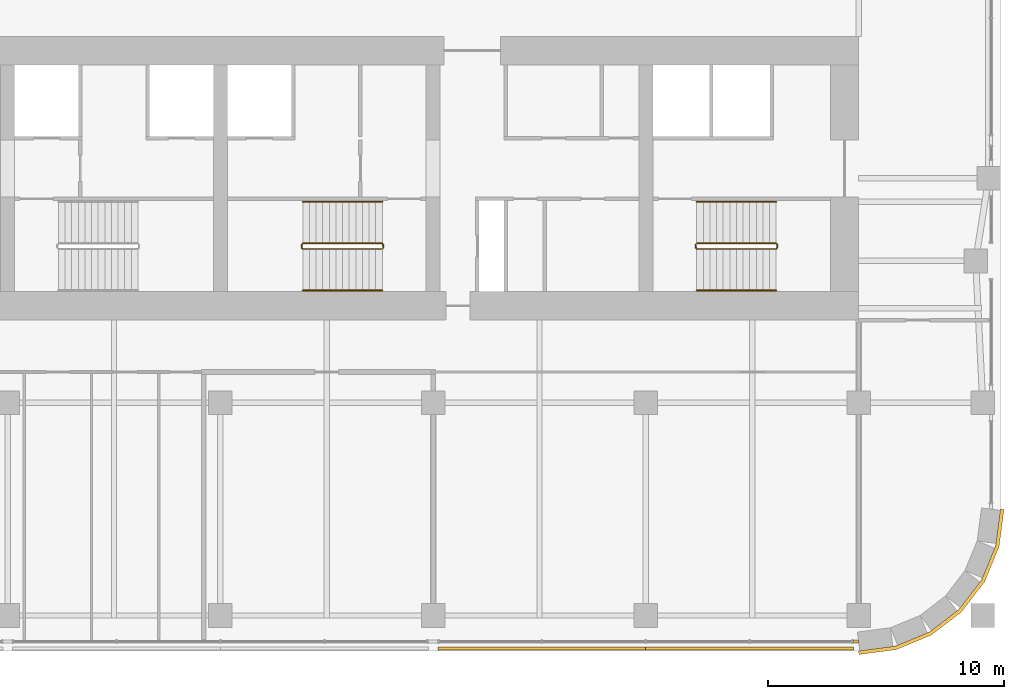
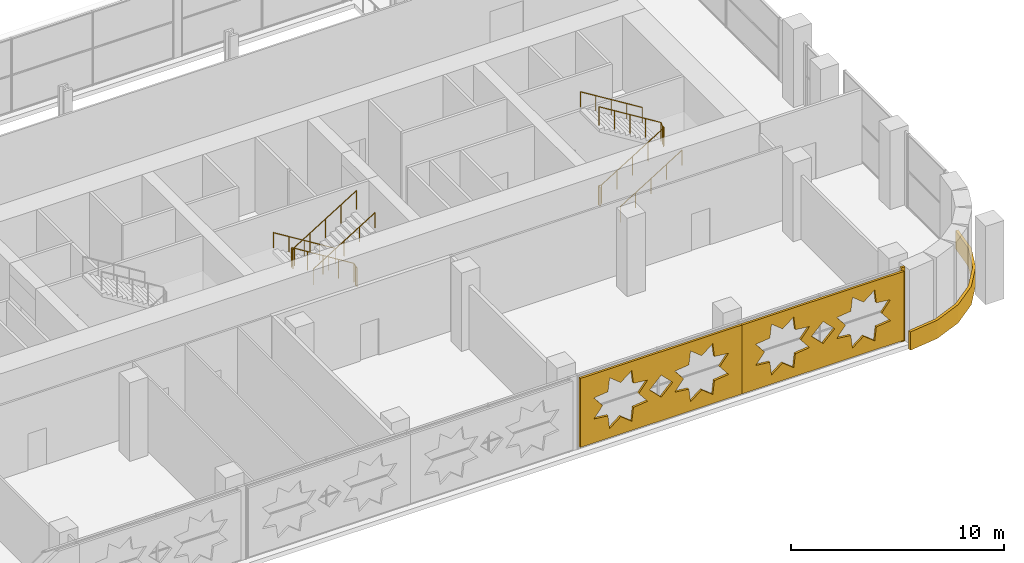
# One storey, part 18 of 21: 6 railings, 4 coverings.
"""IFC4 building model written with IfcOpenShell, lengths in metres."""

from ifc_helpers import new_model, si_unit, direction, frame, origin, origin_2d, place, context, subcontext, project, spatial, polyline, rectangle, circle, outline, extrude, material, layer, layer_set, type_object, element, save


model = new_model("IFC4")

# Units and contexts
model_context = context("Model", 3, precision=1e-05, world=origin(), true_north=direction((0.0, 1.0)))
body_context = subcontext(model_context, "Body", "Model", "MODEL_VIEW")
ifc_project = project(units=[si_unit("LENGTHUNIT", "METRE"), si_unit("AREAUNIT", "SQUARE_METRE"), si_unit("VOLUMEUNIT", "CUBIC_METRE"), si_unit("PLANEANGLEUNIT", "RADIAN"), si_unit("MASSUNIT", "GRAM", prefix="KILO")], contexts=[model_context])

# Site, building, storey
site_placement = place(None, origin())
site = spatial("IfcSite", under=ifc_project, at=site_placement, CompositionType="ELEMENT")
building_placement = place(site_placement, origin())
building = spatial("IfcBuilding", under=site, at=building_placement, Name="Zellij Exchange Tower", CompositionType="ELEMENT")
storey_placement = place(building_placement, frame((0.0, 0.0, 43.5)))
storey = spatial("IfcBuildingStorey", under=building, at=storey_placement, Name="L07", CompositionType="ELEMENT", Elevation=43.5)

# Railings
ifc_material_1 = material(Name="Stainless steel", Category="steel")
railing_type_1 = type_object("IfcRailingType", Name="CORE-RG stair guard", PredefinedType="GUARDRAIL", material=ifc_material_1)
railing_1_placement = place(storey_placement, frame((6.89990234375, -10.800048828125, 0.0)))
element("IfcRailing", 1, at=railing_1_placement, inside=storey, type_object=railing_type_1, Name="ST3 stair guard L07", PredefinedType="GUARDRAIL", context=body_context, shape_type="SweptSolid", body=[
    extrude(circle(Radius=0.02392578125, at=origin_2d()), frame((0.0, 0.0, 1.076171875), z_axis=(0.0, -1.0, 0.0), x_axis=(1.0, 0.0, 0.0)), (0.0, 0.0, 1.0), 0.14990234375),
    extrude(circle(Radius=0.02392578125, at=origin_2d()), frame((0.0, -0.14990234375, 1.076171875), z_axis=(-0.185068141132, 0.742994154839, 0.643202510111), x_axis=(-0.970351222016, -0.241699205484, 0.0)), (0.0, 0.0, 1.0), 0.26904296875),
    extrude(circle(Radius=0.02392578125, at=origin_2d()), frame((-0.0498046875, 0.050048828125, 1.2490234375), z_axis=(-0.850623216509, 0.0, 0.525775754039), x_axis=(0.0, -1.0, 0.0)), (0.0, 0.0, 1.0), 3.9501953125),
    extrude(circle(Radius=0.02392578125, at=origin_2d()), frame((-3.409912109375, 0.050048828125, 3.326171875), z_axis=(-0.707106781187, -0.707106781187, 0.0), x_axis=(0.707106781187, -0.707106781187, 0.0)), (0.0, 0.0, 1.0), 0.07080078125),
    extrude(circle(Radius=0.02392578125, at=origin_2d()), frame((-3.4599609375, 0.0, 3.326171875), z_axis=(0.0, -1.0, 0.0), x_axis=(1.0, 0.0, 0.0)), (0.0, 0.0, 1.0), 0.14990234375),
    extrude(circle(Radius=0.02392578125, at=origin_2d()), frame((-3.4599609375, -0.14990234375, 3.326171875), z_axis=(0.267629722418, -0.267629722418, 0.925607186314), x_axis=(0.707106781187, 0.707106781187, 0.0)), (0.0, 0.0, 1.0), 0.18701171875),
    extrude(circle(Radius=0.02392578125, at=origin_2d()), frame((-3.409912109375, -0.199951171875, 3.4990234375), z_axis=(0.850623216509, 0.0, 0.525775754039), x_axis=(0.0, 1.0, 0.0)), (0.0, 0.0, 1.0), 3.9501953125),
    extrude(circle(Radius=0.02099609375, at=origin_2d()), origin(), (0.0, 0.0, 1.0), 1.052001953125),
    extrude(circle(Radius=0.02099609375, at=origin_2d()), frame((0.0, -0.14990234375, 0.0)), (0.0, 0.0, 1.0), 1.052001953125),
    extrude(circle(Radius=0.02099609375, at=origin_2d()), frame((-0.0498046875, 0.050048828125, 0.173095703125)), (0.0, 0.0, 1.0), 1.052001953125),
    extrude(circle(Radius=0.02099609375, at=origin_2d()), frame((-0.889892578125, 0.050048828125, 0.6923828125)), (0.0, 0.0, 1.0), 1.052001953125),
    extrude(circle(Radius=0.02099609375, at=origin_2d()), frame((-1.72998046875, 0.050048828125, 1.21142578125)), (0.0, 0.0, 1.0), 1.052001953125),
    extrude(circle(Radius=0.02099609375, at=origin_2d()), frame((-2.56982421875, 0.050048828125, 1.730712890625)), (0.0, 0.0, 1.0), 1.052001953125),
    extrude(circle(Radius=0.02099609375, at=origin_2d()), frame((-3.409912109375, 0.050048828125, 2.25)), (0.0, 0.0, 1.0), 1.052001953125),
    extrude(circle(Radius=0.02099609375, at=origin_2d()), frame((-3.4599609375, 0.0, 2.25)), (0.0, 0.0, 1.0), 1.052001953125),
    extrude(circle(Radius=0.02099609375, at=origin_2d()), frame((-3.4599609375, -0.14990234375, 2.25)), (0.0, 0.0, 1.0), 1.052001953125),
    extrude(circle(Radius=0.02099609375, at=origin_2d()), frame((-3.409912109375, -0.199951171875, 2.423095703125)), (0.0, 0.0, 1.0), 1.052001953125),
    extrude(circle(Radius=0.02099609375, at=origin_2d()), frame((-2.56982421875, -0.199951171875, 2.9423828125)), (0.0, 0.0, 1.0), 1.052001953125),
    extrude(circle(Radius=0.02099609375, at=origin_2d()), frame((-1.72998046875, -0.199951171875, 3.46142578125)), (0.0, 0.0, 1.0), 1.052001953125),
    extrude(circle(Radius=0.02099609375, at=origin_2d()), frame((-0.889892578125, -0.199951171875, 3.980712890625)), (0.0, 0.0, 1.0), 1.052001953125),
    extrude(circle(Radius=0.02099609375, at=origin_2d()), frame((-0.0498046875, -0.199951171875, 4.5)), (0.0, 0.0, 1.0), 1.052001953125),
])
railing_2_placement = place(storey_placement, frame((20.10009765625, -10.949951171875, 0.0)))
element("IfcRailing", 2, at=railing_2_placement, inside=storey, type_object=railing_type_1, Name="ST4 stair guard L07", PredefinedType="GUARDRAIL", context=body_context, shape_type="SweptSolid", body=[
    extrude(circle(Radius=0.02392578125, at=origin_2d()), frame((0.0, 0.0, 1.076171875), z_axis=(0.0, 1.0, 0.0), x_axis=(-1.0, 0.0, 0.0)), (0.0, 0.0, 1.0), 0.14990234375),
    extrude(circle(Radius=0.02392578125, at=origin_2d()), frame((0.0, 0.14990234375, 1.076171875), z_axis=(0.185068141132, -0.742994154839, 0.643202510111), x_axis=(0.970351222016, 0.241699205484, 0.0)), (0.0, 0.0, 1.0), 0.26904296875),
    extrude(circle(Radius=0.02392578125, at=origin_2d()), frame((0.0498046875, -0.050048828125, 1.2490234375), z_axis=(0.850623216509, 0.0, 0.525775754039), x_axis=(0.0, 1.0, 0.0)), (0.0, 0.0, 1.0), 3.9501953125),
    extrude(circle(Radius=0.02392578125, at=origin_2d()), frame((3.409912109375, -0.050048828125, 3.326171875), z_axis=(0.707106781187, 0.707106781187, 0.0), x_axis=(-0.707106781187, 0.707106781187, 0.0)), (0.0, 0.0, 1.0), 0.07080078125),
    extrude(circle(Radius=0.02392578125, at=origin_2d()), frame((3.4599609375, 0.0, 3.326171875), z_axis=(0.0, 1.0, 0.0), x_axis=(-1.0, 0.0, 0.0)), (0.0, 0.0, 1.0), 0.14990234375),
    extrude(circle(Radius=0.02392578125, at=origin_2d()), frame((3.4599609375, 0.14990234375, 3.326171875), z_axis=(-0.267629722418, 0.267629722418, 0.925607186314), x_axis=(-0.707106781187, -0.707106781187, 0.0)), (0.0, 0.0, 1.0), 0.18701171875),
    extrude(circle(Radius=0.02392578125, at=origin_2d()), frame((3.409912109375, 0.199951171875, 3.4990234375), z_axis=(-0.850623216509, 0.0, 0.525775754039), x_axis=(0.0, -1.0, 0.0)), (0.0, 0.0, 1.0), 3.9501953125),
    extrude(circle(Radius=0.02099609375, at=origin_2d()), origin(), (0.0, 0.0, 1.0), 1.052001953125),
    extrude(circle(Radius=0.02099609375, at=origin_2d()), frame((0.0, 0.14990234375, 0.0)), (0.0, 0.0, 1.0), 1.052001953125),
    extrude(circle(Radius=0.02099609375, at=origin_2d()), frame((0.0498046875, -0.050048828125, 0.173095703125)), (0.0, 0.0, 1.0), 1.052001953125),
    extrude(circle(Radius=0.02099609375, at=origin_2d()), frame((0.889892578125, -0.050048828125, 0.6923828125)), (0.0, 0.0, 1.0), 1.052001953125),
    extrude(circle(Radius=0.02099609375, at=origin_2d()), frame((1.72998046875, -0.050048828125, 1.21142578125)), (0.0, 0.0, 1.0), 1.052001953125),
    extrude(circle(Radius=0.02099609375, at=origin_2d()), frame((2.56982421875, -0.050048828125, 1.730712890625)), (0.0, 0.0, 1.0), 1.052001953125),
    extrude(circle(Radius=0.02099609375, at=origin_2d()), frame((3.409912109375, -0.050048828125, 2.25)), (0.0, 0.0, 1.0), 1.052001953125),
    extrude(circle(Radius=0.02099609375, at=origin_2d()), frame((3.4599609375, 0.0, 2.25)), (0.0, 0.0, 1.0), 1.052001953125),
    extrude(circle(Radius=0.02099609375, at=origin_2d()), frame((3.4599609375, 0.14990234375, 2.25)), (0.0, 0.0, 1.0), 1.052001953125),
    extrude(circle(Radius=0.02099609375, at=origin_2d()), frame((3.409912109375, 0.199951171875, 2.423095703125)), (0.0, 0.0, 1.0), 1.052001953125),
    extrude(circle(Radius=0.02099609375, at=origin_2d()), frame((2.56982421875, 0.199951171875, 2.9423828125)), (0.0, 0.0, 1.0), 1.052001953125),
    extrude(circle(Radius=0.02099609375, at=origin_2d()), frame((1.72998046875, 0.199951171875, 3.46142578125)), (0.0, 0.0, 1.0), 1.052001953125),
    extrude(circle(Radius=0.02099609375, at=origin_2d()), frame((0.889892578125, 0.199951171875, 3.980712890625)), (0.0, 0.0, 1.0), 1.052001953125),
    extrude(circle(Radius=0.02099609375, at=origin_2d()), frame((0.0498046875, 0.199951171875, 4.5)), (0.0, 0.0, 1.0), 1.052001953125),
])
railing_type_2 = type_object("IfcRailingType", Name="CORE-RH stair handrail", PredefinedType="HANDRAIL", material=ifc_material_1)
railing_3_placement = place(storey_placement, frame((6.85009765625, -9.0, 0.173095703125)))
element("IfcRailing", 3, at=railing_3_placement, inside=storey, type_object=railing_type_2, Name="ST3 stair handrail L07", PredefinedType="HANDRAIL", context=body_context, shape_type="SweptSolid", body=[
    extrude(circle(Radius=0.02392578125, at=origin_2d()), frame((0.0, 0.0, 0.8759765625), z_axis=(-0.850623216509, 0.0, 0.525775754039), x_axis=(0.0, -1.0, 0.0)), (0.0, 0.0, 1.0), 3.9501953125),
    extrude(circle(Radius=0.02099609375, at=origin_2d()), origin(), (0.0, 0.0, 1.0), 0.851806640625),
    extrude(circle(Radius=0.02099609375, at=origin_2d()), frame((-0.840087890625, 0.0, 0.519287109375)), (0.0, 0.0, 1.0), 0.851806640625),
    extrude(circle(Radius=0.02099609375, at=origin_2d()), frame((-1.68017578125, 0.0, 1.03857421875)), (0.0, 0.0, 1.0), 0.851806640625),
    extrude(circle(Radius=0.02099609375, at=origin_2d()), frame((-2.52001953125, 0.0, 1.5576171875)), (0.0, 0.0, 1.0), 0.851806640625),
    extrude(circle(Radius=0.02099609375, at=origin_2d()), frame((-3.360107421875, 0.0, 2.076904296875)), (0.0, 0.0, 1.0), 0.851806640625),
])
for number, where, name in (
    (4, (3.489990234375, -12.75, 2.423095703125), "ST3 stair handrail L07"),
    (5, (20.14990234375, -12.75, 0.173095703125), "ST4 stair handrail L07"),
):
    element("IfcRailing", number, at=place(storey_placement, frame(where)), inside=storey, type_object=railing_type_2, Name=name, PredefinedType="HANDRAIL", context=body_context, shape_type="SweptSolid", body=[
        extrude(circle(Radius=0.02392578125, at=origin_2d()), frame((0.0, 0.0, 0.8759765625), z_axis=(0.850623216509, 0.0, 0.525775754039), x_axis=(0.0, 1.0, 0.0)), (0.0, 0.0, 1.0), 3.9501953125),
        extrude(circle(Radius=0.02099609375, at=origin_2d()), origin(), (0.0, 0.0, 1.0), 0.851806640625),
        extrude(circle(Radius=0.02099609375, at=origin_2d()), frame((0.840087890625, 0.0, 0.519287109375)), (0.0, 0.0, 1.0), 0.851806640625),
        extrude(circle(Radius=0.02099609375, at=origin_2d()), frame((1.68017578125, 0.0, 1.03857421875)), (0.0, 0.0, 1.0), 0.851806640625),
        extrude(circle(Radius=0.02099609375, at=origin_2d()), frame((2.52001953125, 0.0, 1.5576171875)), (0.0, 0.0, 1.0), 0.851806640625),
        extrude(circle(Radius=0.02099609375, at=origin_2d()), frame((3.360107421875, 0.0, 2.076904296875)), (0.0, 0.0, 1.0), 0.851806640625),
    ])
railing_4_placement = place(storey_placement, frame((23.510009765625, -9.0, 2.423095703125)))
element("IfcRailing", 6, at=railing_4_placement, inside=storey, type_object=railing_type_2, Name="ST4 stair handrail L07", PredefinedType="HANDRAIL", context=body_context, shape_type="SweptSolid", body=[
    extrude(circle(Radius=0.02392578125, at=origin_2d()), frame((0.0, 0.0, 0.8759765625), z_axis=(-0.850623216509, 0.0, 0.525775754039), x_axis=(0.0, -1.0, 0.0)), (0.0, 0.0, 1.0), 3.9501953125),
    extrude(circle(Radius=0.02099609375, at=origin_2d()), origin(), (0.0, 0.0, 1.0), 0.851806640625),
    extrude(circle(Radius=0.02099609375, at=origin_2d()), frame((-0.840087890625, 0.0, 0.519287109375)), (0.0, 0.0, 1.0), 0.851806640625),
    extrude(circle(Radius=0.02099609375, at=origin_2d()), frame((-1.68017578125, 0.0, 1.03857421875)), (0.0, 0.0, 1.0), 0.851806640625),
    extrude(circle(Radius=0.02099609375, at=origin_2d()), frame((-2.52001953125, 0.0, 1.5576171875)), (0.0, 0.0, 1.0), 0.851806640625),
    extrude(circle(Radius=0.02099609375, at=origin_2d()), frame((-3.360107421875, 0.0, 2.076904296875)), (0.0, 0.0, 1.0), 0.851806640625),
])

# Coverings
ifc_material_2 = material(Name="Limestone cladding", Category="masonry")
ifc_layer_1 = layer(ifc_material_2, 0.14990234375)
ifc_layer_set_1 = layer_set([ifc_layer_1], Name="Limestone cladding")
covering_type_1 = type_object("IfcCoveringType", Name="ENV-CV1 Stone spandrel band 150", PredefinedType="CLADDING", material=ifc_layer_set_1)
covering_1_placement = place(storey_placement, frame((0.0, 0.0, -0.25)))
element("IfcCovering", 7, at=covering_1_placement, inside=storey, type_object=covering_type_1, Name="Stone spandrel band", PredefinedType="CLADDING", context=body_context, shape_type="SweptSolid", body=[
    extrude(outline(polyline([(27.0, -28.0), (28.552978515625, -27.795654296875), (30.0, -27.1962890625), (31.24267578125, -26.24267578125), (32.1962890625, -25.0), (32.795654296875, -23.552978515625), (33.0, -22.0), (33.14990234375, -22.009765625), (32.941650390625, -23.592041015625), (32.3271484375, -25.07568359375), (31.349609375, -26.349609375), (30.07568359375, -27.3271484375), (28.592041015625, -27.941650390625), (27.009765625, -28.14990234375), (27.0, -28.0)])), origin(), (0.0, 0.0, 1.0), 1.050048828125),
])
ifc_layer_2 = layer(ifc_material_2, 0.1201171875)
ifc_layer_set_2 = layer_set([ifc_layer_2], Name="Limestone cladding")
covering_type_2 = type_object("IfcCoveringType", Name="ENV-CV18 Glazing closer 120", PredefinedType="CLADDING", material=ifc_layer_set_2)
covering_2_placement = place(storey_placement, frame((26.883056640625, -27.60009765625, 0.0), z_axis=(0.0, 0.0, 1.0), x_axis=(1.0, 0.0, 0.0)))
element("IfcCovering", 8, at=covering_2_placement, inside=storey, type_object=covering_type_2, Name="Glazing closer", PredefinedType="CLADDING", context=body_context, shape_type="SweptSolid", body=[
    extrude(rectangle(XDim=0.218505859375, YDim=0.1201171875, at=origin_2d()), origin(), (0.0, 0.0, 1.0), 4.25),
])
ifc_material_3 = material(Name="Limestone screen", Category="masonry")
ifc_layer_3 = layer(ifc_material_3, 0.1201171875)
ifc_layer_set_3 = layer_set([ifc_layer_3], Name="Limestone screen")
covering_type_3 = type_object("IfcCoveringType", Name="ENV-SC1 Pierced stone screen 120", PredefinedType="USERDEFINED", material=ifc_layer_set_3)
for number, where, z_axis, x_axis, name in (
    (9, (9.199951171875, -27.89990234375, 0.300048828125), (0.0, 0.0, 1.0), (1.0, 0.0, 0.0), "Pierced stone screen"),
    (10, (17.98681640625, -27.89990234375, 0.300048828125), (0.0, 0.0, 1.0), (1.0, 0.0, 0.0), "Pierced stone screen"),
):
    element("IfcCovering", number, at=place(storey_placement, frame(where, z_axis=z_axis, x_axis=x_axis)), inside=storey, type_object=covering_type_3, Name=name, ObjectType="SCREEN", PredefinedType="USERDEFINED", context=body_context, shape_type="SweptSolid", body=[
        extrude(outline(polyline([(0.0, 0.0), (8.786865234375, 0.0), (8.786865234375, 3.949951171875), (0.0, 3.949951171875), (0.0, 0.0)]), holes=[polyline([(3.656494140625, 2.57958984375), (2.889404296875, 2.667724609375), (2.801513671875, 3.434814453125), (2.19677734375, 2.95458984375), (1.592041015625, 3.434814453125), (1.50390625, 2.667724609375), (0.737060546875, 2.57958984375), (1.217041015625, 1.97509765625), (0.737060546875, 1.370361328125), (1.50390625, 1.2822265625), (1.592041015625, 0.515380859375), (2.19677734375, 0.995361328125), (2.801513671875, 0.515380859375), (2.889404296875, 1.2822265625), (3.656494140625, 1.370361328125), (3.17626953125, 1.97509765625), (3.656494140625, 2.57958984375)]), polyline([(8.0498046875, 2.57958984375), (7.28271484375, 2.667724609375), (7.19482421875, 3.434814453125), (6.590087890625, 2.95458984375), (5.985595703125, 3.434814453125), (5.8974609375, 2.667724609375), (5.13037109375, 2.57958984375), (5.610595703125, 1.97509765625), (5.13037109375, 1.370361328125), (5.8974609375, 1.2822265625), (5.985595703125, 0.515380859375), (6.590087890625, 0.995361328125), (7.19482421875, 0.515380859375), (7.28271484375, 1.2822265625), (8.0498046875, 1.370361328125), (7.56982421875, 1.97509765625), (8.0498046875, 2.57958984375)]), polyline([(5.025390625, 1.97509765625), (4.393310546875, 2.60693359375), (3.761474609375, 1.97509765625), (4.393310546875, 1.343017578125), (5.025390625, 1.97509765625)])]), frame((0.0, 0.06005859375, 0.0), z_axis=(0.0, -1.0, 0.0), x_axis=(1.0, 0.0, 0.0)), (0.0, 0.0, 1.0), 0.1201171875),
    ])

save(model, "model.ifc")
